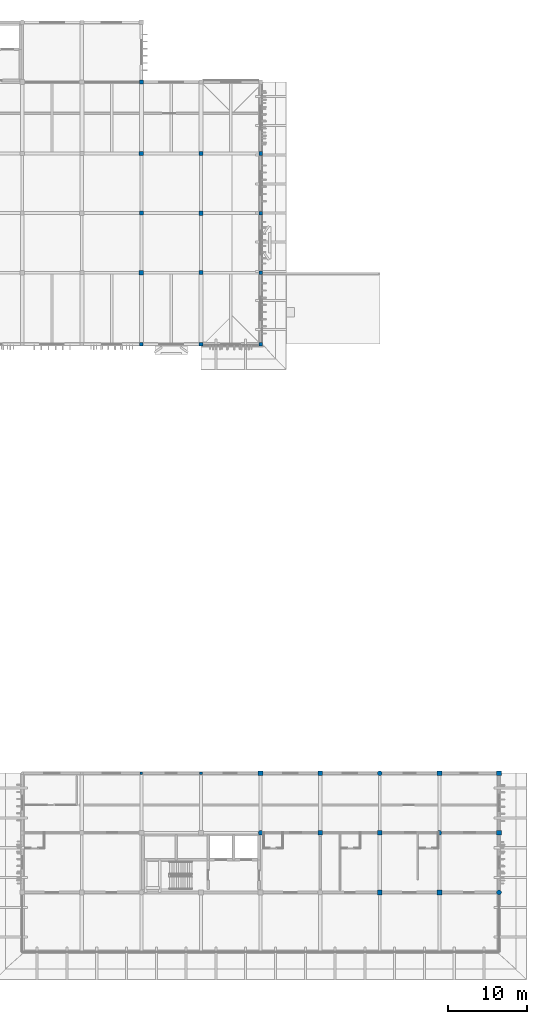
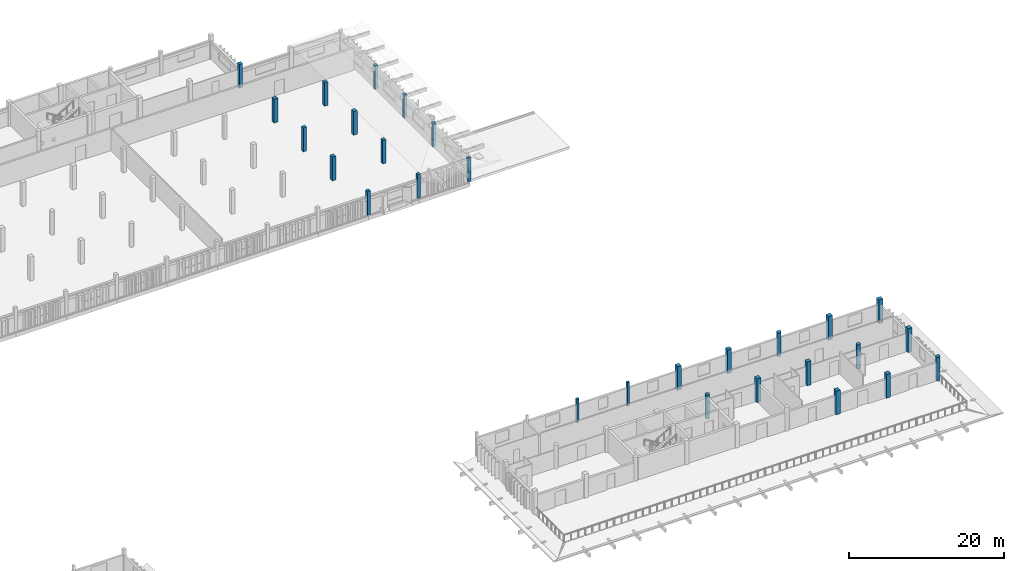
# One storey, part 6 of 43: 28 columns.
"""IFC4 building model written with IfcOpenShell, lengths in metres."""

from ifc_helpers import new_model, si_unit, direction, frame, origin, origin_2d, place, context, subcontext, project, spatial, rectangle, circle, extrude, material, material_profile, profile_set, type_object, element, save


model = new_model("IFC4")

# Units and contexts
model_context = context("Model", 3, precision=1e-05, world=origin(), true_north=direction((0.0, 1.0)))
body_context = subcontext(model_context, "Body", "Model", "MODEL_VIEW")
ifc_project = project(units=[si_unit("LENGTHUNIT", "METRE"), si_unit("AREAUNIT", "SQUARE_METRE"), si_unit("VOLUMEUNIT", "CUBIC_METRE"), si_unit("PLANEANGLEUNIT", "RADIAN"), si_unit("MASSUNIT", "GRAM", prefix="KILO")], contexts=[model_context])

# Site, building, storey
site_placement = place(None, origin())
site = spatial("IfcSite", under=ifc_project, at=site_placement, CompositionType="ELEMENT")
building_placement = place(site_placement, origin())
building = spatial("IfcBuilding", under=site, at=building_placement, Name="Dalvernix Boulevard General Hospital", CompositionType="ELEMENT")
storey_placement = place(building_placement, frame((0.0, 0.0, 14.10009765625)))
storey = spatial("IfcBuildingStorey", under=building, at=storey_placement, Name="L03", CompositionType="ELEMENT", Elevation=14.10009765625)

# Columns
ifc_material_1 = material(Name="Concrete C40/50", Category="concrete")
ifc_material_profile_1 = material_profile(ifc_material_1, rectangle(XDim=0.60009765625, YDim=0.60009765625, at=origin_2d()), Name="RC 600x600")
ifc_profile_set_1 = profile_set([ifc_material_profile_1], Name="Concrete C40/50")
column_type_1 = type_object("IfcColumnType", Name="COL-C-07-E", PredefinedType="COLUMN", material=ifc_profile_set_1)
for number, where, z_axis, x_axis, name in (
    (1, (142.5, 22.5, 0.0), (0.0, 0.0, 1.0), (1.0, 0.0, 0.0), "L03 column 20D"),
    (2, (150.0, 22.5, 0.0), (0.0, 0.0, 1.0), (1.0, 0.0, 0.0), "L03 column 21D"),
    (3, (157.5, 7.5, 0.0), (0.0, 0.0, 1.0), (1.0, 0.0, 0.0), "L03 column 22B"),
    (4, (165.0, 7.5, 0.0), (0.0, 0.0, 1.0), (1.0, 0.0, 0.0), "L03 column 23B"),
    (5, (165.0, 22.5, 0.0), (0.0, 0.0, 1.0), (1.0, 0.0, 0.0), "L03 column 23D"),
    (6, (172.5, 15.0, 0.0), (0.0, 0.0, 1.0), (1.0, 0.0, 0.0), "L03 column 24C"),
    (7, (172.5, 22.5, 0.0), (0.0, 0.0, 1.0), (1.0, 0.0, 0.0), "L03 column 24D"),
):
    element("IfcColumn", number, at=place(storey_placement, frame(where, z_axis=z_axis, x_axis=x_axis)), inside=storey, type_object=column_type_1, Name=name, PredefinedType="COLUMN", context=body_context, shape_type="SweptSolid", body=[
        extrude(rectangle(XDim=0.60009765625, YDim=0.60009765625, at=origin_2d()), origin(), (0.0, 0.0, 1.0), 3.75),
    ])
ifc_material_profile_2 = material_profile(ifc_material_1, rectangle(XDim=0.60009765625, YDim=0.60009765625, at=origin_2d()), Name="RC 600x600")
ifc_profile_set_2 = profile_set([ifc_material_profile_2], Name="Concrete C40/50")
column_type_2 = type_object("IfcColumnType", Name="COL-C-07-I", PredefinedType="COLUMN", material=ifc_profile_set_2)
for number, where, z_axis, x_axis, name in (
    (8, (150.0, 15.0, 0.0), (0.0, 0.0, 1.0), (1.0, 0.0, 0.0), "L03 column 21C"),
    (9, (157.5, 15.0, 0.0), (0.0, 0.0, 1.0), (1.0, 0.0, 0.0), "L03 column 22C"),
):
    element("IfcColumn", number, at=place(storey_placement, frame(where, z_axis=z_axis, x_axis=x_axis)), inside=storey, type_object=column_type_2, Name=name, PredefinedType="COLUMN", context=body_context, shape_type="SweptSolid", body=[
        extrude(rectangle(XDim=0.60009765625, YDim=0.60009765625, at=origin_2d()), origin(), (0.0, 0.0, 1.0), 3.75),
    ])
ifc_material_profile_3 = material_profile(ifc_material_1, rectangle(XDim=0.550048828125, YDim=0.550048828125, at=origin_2d()), Name="RC 550x550")
ifc_profile_set_3 = profile_set([ifc_material_profile_3], Name="Concrete C40/50")
column_type_3 = type_object("IfcColumnType", Name="COL-C-08-I", PredefinedType="COLUMN", material=ifc_profile_set_3)
for number, where, z_axis, x_axis, name in (
    (10, (127.5, 85.5, 0.0), (0.0, 0.0, 1.0), (1.0, 0.0, 0.0), "L03 column 18M"),
    (11, (127.5, 100.5, 0.0), (0.0, 0.0, 1.0), (1.0, 0.0, 0.0), "L03 column 18P"),
    (12, (135.0, 93.0, 0.0), (0.0, 0.0, 1.0), (1.0, 0.0, 0.0), "L03 column 19N"),
):
    element("IfcColumn", number, at=place(storey_placement, frame(where, z_axis=z_axis, x_axis=x_axis)), inside=storey, type_object=column_type_3, Name=name, PredefinedType="COLUMN", context=body_context, shape_type="SweptSolid", body=[
        extrude(rectangle(XDim=0.550048828125, YDim=0.550048828125, at=origin_2d()), origin(), (0.0, 0.0, 1.0), 3.75),
    ])
ifc_material_profile_4 = material_profile(ifc_material_1, rectangle(XDim=0.5, YDim=0.5, at=origin_2d()), Name="RC 500x500")
ifc_profile_set_4 = profile_set([ifc_material_profile_4], Name="Concrete C40/50")
column_type_4 = type_object("IfcColumnType", Name="COL-C-09-E", PredefinedType="COLUMN", material=ifc_profile_set_4)
column_placement = place(storey_placement, frame((127.5, 109.5, 0.0), z_axis=(0.0, 0.0, 1.0), x_axis=(1.0, 0.0, 0.0)))
element("IfcColumn", 13, at=column_placement, inside=storey, type_object=column_type_4, Name="L03 column 18Q", PredefinedType="COLUMN", context=body_context, shape_type="SweptSolid", body=[
    extrude(rectangle(XDim=0.5, YDim=0.5, at=origin_2d()), origin(), (0.0, 0.0, 1.0), 3.75),
])
ifc_material_profile_5 = material_profile(ifc_material_1, rectangle(XDim=0.5, YDim=0.5, at=origin_2d()), Name="RC 500x500")
ifc_profile_set_5 = profile_set([ifc_material_profile_5], Name="Concrete C40/50")
column_type_5 = type_object("IfcColumnType", Name="COL-C-09-I", PredefinedType="COLUMN", material=ifc_profile_set_5)
for number, where, z_axis, x_axis, name in (
    (14, (127.5, 93.0, 0.0), (0.0, 0.0, 1.0), (1.0, 0.0, 0.0), "L03 column 18N"),
    (15, (135.0, 85.5, 0.0), (0.0, 0.0, 1.0), (1.0, 0.0, 0.0), "L03 column 19M"),
    (16, (135.0, 100.5, 0.0), (0.0, 0.0, 1.0), (1.0, 0.0, 0.0), "L03 column 19P"),
):
    element("IfcColumn", number, at=place(storey_placement, frame(where, z_axis=z_axis, x_axis=x_axis)), inside=storey, type_object=column_type_5, Name=name, PredefinedType="COLUMN", context=body_context, shape_type="SweptSolid", body=[
        extrude(rectangle(XDim=0.5, YDim=0.5, at=origin_2d()), origin(), (0.0, 0.0, 1.0), 3.75),
    ])
ifc_material_profile_6 = material_profile(ifc_material_1, rectangle(XDim=0.449951171875, YDim=0.449951171875, at=origin_2d()), Name="RC 450x450")
ifc_profile_set_6 = profile_set([ifc_material_profile_6], Name="Concrete C40/50")
column_type_6 = type_object("IfcColumnType", Name="COL-C-10-E", PredefinedType="COLUMN", material=ifc_profile_set_6)
for number, where, z_axis, x_axis, name in (
    (17, (127.5, 76.5, 0.0), (0.0, 0.0, 1.0), (1.0, 0.0, 0.0), "L03 column 18L"),
    (18, (135.0, 76.5, 0.0), (0.0, 0.0, 1.0), (1.0, 0.0, 0.0), "L03 column 19L"),
    (19, (142.5, 76.5, 0.0), (0.0, 0.0, 1.0), (1.0, 0.0, 0.0), "L03 column 20L"),
    (20, (142.5, 85.5, 0.0), (0.0, 0.0, 1.0), (1.0, 0.0, 0.0), "L03 column 20M"),
    (21, (142.5, 93.0, 0.0), (0.0, 0.0, 1.0), (1.0, 0.0, 0.0), "L03 column 20N"),
    (22, (142.5, 100.5, 0.0), (0.0, 0.0, 1.0), (1.0, 0.0, 0.0), "L03 column 20P"),
):
    element("IfcColumn", number, at=place(storey_placement, frame(where, z_axis=z_axis, x_axis=x_axis)), inside=storey, type_object=column_type_6, Name=name, PredefinedType="COLUMN", context=body_context, shape_type="SweptSolid", body=[
        extrude(rectangle(XDim=0.449951171875, YDim=0.449951171875, at=origin_2d()), origin(), (0.0, 0.0, 1.0), 3.75),
    ])
ifc_material_profile_7 = material_profile(ifc_material_1, circle(Radius=0.300048828125, at=origin_2d()), Name="RC D600")
ifc_profile_set_7 = profile_set([ifc_material_profile_7], Name="Concrete C40/50")
column_type_7 = type_object("IfcColumnType", Name="COL-C-15-E", PredefinedType="COLUMN", material=ifc_profile_set_7)
for number, where, z_axis, x_axis, name in (
    (23, (157.5, 22.5, 0.0), (0.0, 0.0, 1.0), (1.0, 0.0, 0.0), "L03 column 22D"),
    (24, (172.5, 7.5, 0.0), (0.0, 0.0, 1.0), (1.0, 0.0, 0.0), "L03 column 24B"),
):
    element("IfcColumn", number, at=place(storey_placement, frame(where, z_axis=z_axis, x_axis=x_axis)), inside=storey, type_object=column_type_7, Name=name, PredefinedType="COLUMN", context=body_context, shape_type="SweptSolid", body=[
        extrude(circle(Radius=0.300048828125, at=origin_2d()), origin(), (0.0, 0.0, 1.0), 3.75),
    ])
ifc_material_profile_8 = material_profile(ifc_material_1, circle(Radius=0.300048828125, at=origin_2d()), Name="RC D600")
ifc_profile_set_8 = profile_set([ifc_material_profile_8], Name="Concrete C40/50")
column_type_8 = type_object("IfcColumnType", Name="COL-C-15-I", PredefinedType="COLUMN", material=ifc_profile_set_8)
for number, where, z_axis, x_axis, name in (
    (25, (142.5, 15.0, 0.0), (0.0, 0.0, 1.0), (1.0, 0.0, 0.0), "L03 column 20C"),
    (26, (165.0, 15.0, 0.0), (0.0, 0.0, 1.0), (1.0, 0.0, 0.0), "L03 column 23C"),
):
    element("IfcColumn", number, at=place(storey_placement, frame(where, z_axis=z_axis, x_axis=x_axis)), inside=storey, type_object=column_type_8, Name=name, PredefinedType="COLUMN", context=body_context, shape_type="SweptSolid", body=[
        extrude(circle(Radius=0.300048828125, at=origin_2d()), origin(), (0.0, 0.0, 1.0), 3.75),
    ])
ifc_material_2 = material(Name="Glulam GL28h", Category="wood")
ifc_material_profile_9 = material_profile(ifc_material_2, rectangle(XDim=0.320068359375, YDim=0.320068359375, at=origin_2d()), Name="GL28h 320x320")
ifc_profile_set_9 = profile_set([ifc_material_profile_9], Name="Glulam GL28h")
column_type_9 = type_object("IfcColumnType", Name="COL-C-20-E", PredefinedType="COLUMN", material=ifc_profile_set_9)
for number, where, z_axis, x_axis, name in (
    (27, (127.5, 22.5, 0.0), (0.0, 0.0, 1.0), (1.0, 0.0, 0.0), "L03 column 18D"),
    (28, (135.0, 22.5, 0.0), (0.0, 0.0, 1.0), (1.0, 0.0, 0.0), "L03 column 19D"),
):
    element("IfcColumn", number, at=place(storey_placement, frame(where, z_axis=z_axis, x_axis=x_axis)), inside=storey, type_object=column_type_9, Name=name, PredefinedType="COLUMN", context=body_context, shape_type="SweptSolid", body=[
        extrude(rectangle(XDim=0.320068359375, YDim=0.320068359375, at=origin_2d()), origin(), (0.0, 0.0, 1.0), 3.75),
    ])

save(model, "model.ifc")
